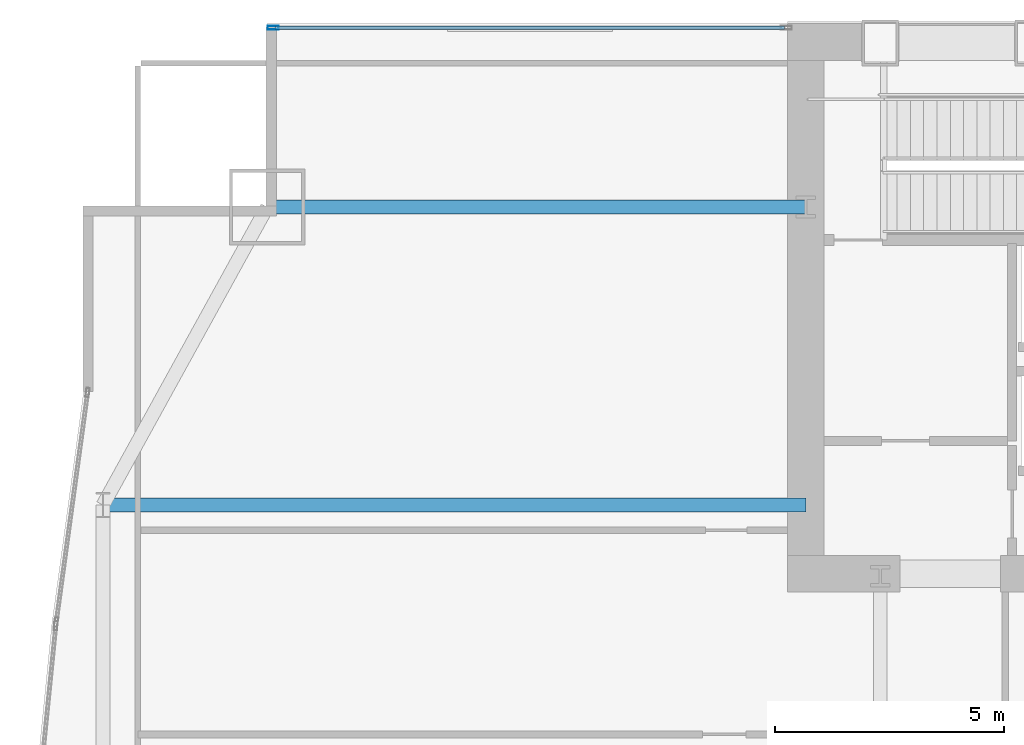
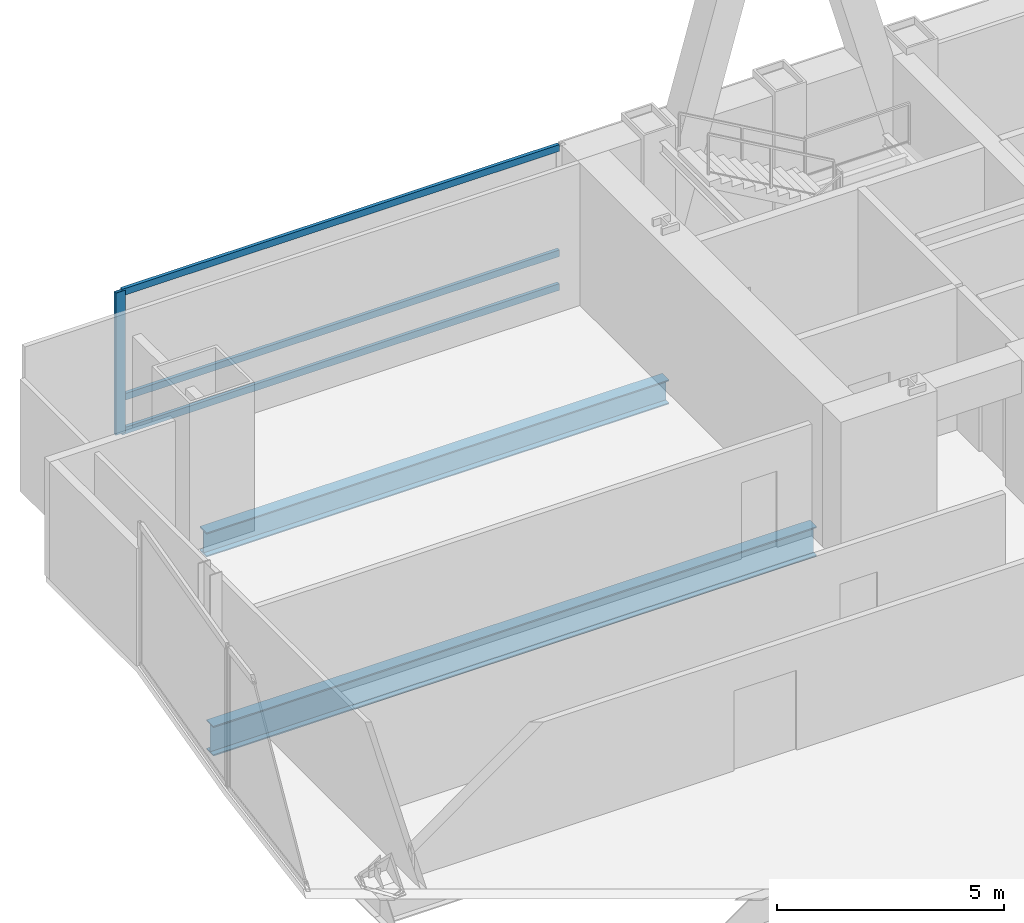
# One storey, part 17 of 35: 4 members, 2 beams, 1 element without a shape of its own.
"""IFC4 building model written with IfcOpenShell, lengths in metres."""

import ifcopenshell
import ifcopenshell.guid

model = None  # the IFC model being written
_history = None  # IfcOwnerHistory: only IFC2X3 demands one
_inside = {}  # id of a spatial element -> (the spatial element, [elements in it])
_under = {}  # id of a project, library or spatial element -> (it, [spatial elements below it])
_declared = {}  # id of a project -> (the project, [libraries it declares])
_typed = {}  # id of a type object -> (the type object, [elements of that type])
_made_of = {}  # id of a material, layer set ... -> (it, [elements and type objects made of it])


def new_model(schema):
    """Start an empty IFC model of exactly this schema.

    Asked for "IFC4X3", IfcOpenShell would pick the latest addendum, in which some entities
    have other attributes; the version numbers below select the first issue.
    IFC2X3 requires an IfcOwnerHistory on every rooted entity: one is made here for all.
    """
    global model, _history
    if schema == "IFC4X3":
        model = ifcopenshell.file(schema_version=(4, 3, 0, 0))
    else:
        model = ifcopenshell.file(schema=schema)
    _inside.clear()
    _under.clear()
    _declared.clear()
    _typed.clear()
    _made_of.clear()
    _history = None
    if model.schema == "IFC2X3":
        org = make("IfcOrganization", Name="unknown")
        user = make(
            "IfcPersonAndOrganization",
            ThePerson=make("IfcPerson", FamilyName="unknown"),
            TheOrganization=org,
        )
        app = make(
            "IfcApplication",
            ApplicationDeveloper=org,
            Version="unknown",
            ApplicationFullName="unknown",
            ApplicationIdentifier="unknown",
        )
        _history = make(
            "IfcOwnerHistory",
            OwningUser=user,
            OwningApplication=app,
            ChangeAction="ADDED",
            CreationDate=0,
        )
    return model


def make(cls, **values):
    """One entity of the class cls with the attributes given. An attribute that is None is left unset."""
    return model.create_entity(
        cls, **{name: value for name, value in values.items() if value is not None}
    )


def rooted(cls, **values):
    """An entity with a GlobalId (a new one), such as an element, a storey or a relation."""
    return make(cls, GlobalId=ifcopenshell.guid.new(), OwnerHistory=_history, **values)


def si_unit(unit_type, name, prefix=None):
    """IfcSIUnit, for example si_unit("LENGTHUNIT", "METRE", prefix="MILLI")."""
    return make("IfcSIUnit", UnitType=unit_type, Prefix=prefix, Name=name)


def assignment(units):
    """IfcUnitAssignment: the units of a project."""
    return None if units is None else make("IfcUnitAssignment", Units=units)


def point(xyz):
    """IfcCartesianPoint."""
    return None if xyz is None else make("IfcCartesianPoint", Coordinates=xyz)


def direction(xyz):
    """IfcDirection."""
    return None if xyz is None else make("IfcDirection", DirectionRatios=xyz)


def frame(location, z_axis=None, x_axis=None):
    """IfcAxis2Placement3D, a coordinate frame: its origin and axes. An axis left out is left unset."""
    return make(
        "IfcAxis2Placement3D",
        Location=point(location),
        Axis=direction(z_axis),
        RefDirection=direction(x_axis),
    )


def frame_2d(location, x_axis=None):
    """IfcAxis2Placement2D, a coordinate frame in the plane: its origin and x axis."""
    return make(
        "IfcAxis2Placement2D", Location=point(location), RefDirection=direction(x_axis)
    )


def origin():
    """The frame at (0, 0, 0) with its axes left unset."""
    return frame((0.0, 0.0, 0.0))


def origin_2d():
    """The frame at (0, 0) in the plane with its x axis left unset."""
    return frame_2d((0.0, 0.0))


def place(relative_to, where):
    """IfcLocalPlacement: puts the frame where relative to a parent placement (None: the world)."""
    return make(
        "IfcLocalPlacement", PlacementRelTo=relative_to, RelativePlacement=where
    )


def context(
    kind, dimensions, precision=None, world=None, true_north=None, identifier=None
):
    """IfcGeometricRepresentationContext, for example the 3D "Model" context."""
    return make(
        "IfcGeometricRepresentationContext",
        ContextIdentifier=identifier,
        ContextType=kind,
        CoordinateSpaceDimension=dimensions,
        Precision=precision,
        WorldCoordinateSystem=world,
        TrueNorth=true_north,
    )


def subcontext(parent, identifier, kind, view, scale=None):
    """IfcGeometricRepresentationSubContext, for example "Body" below "Model"."""
    return make(
        "IfcGeometricRepresentationSubContext",
        ContextIdentifier=identifier,
        ContextType=kind,
        ParentContext=parent,
        TargetScale=scale,
        TargetView=view,
    )


def project(units=None, contexts=None):
    """IfcProject with its units and contexts."""
    return rooted(
        "IfcProject",
        Name="project",
        RepresentationContexts=contexts,
        UnitsInContext=assignment(units),
    )


def spatial(cls, under=None, at=None, **own):
    """A site, building, storey or space (cls), placed at a placement, below another one or the project."""
    s = rooted(cls, ObjectPlacement=at, **own)
    if under is not None:
        _under.setdefault(under.id(), (under, []))[1].append(s)
    return s


def profile(cls, at=None, kind="AREA", **sizes):
    """A parametric profile (cls). Its sizes go by their IFC names, for example OverallWidth=200.0."""
    return make(cls, ProfileType=kind, Position=at, **sizes)


def hollow_rectangle(**sizes):
    """IfcRectangleHollowProfileDef."""
    return profile("IfcRectangleHollowProfileDef", **sizes)


def i_section(**sizes):
    """IfcIShapeProfileDef."""
    return profile("IfcIShapeProfileDef", **sizes)


def extrude(swept, where, along, depth):
    """IfcExtrudedAreaSolid: the profile swept, set in the frame where, extruded along a direction by depth."""
    return make(
        "IfcExtrudedAreaSolid",
        SweptArea=swept,
        Position=where,
        ExtrudedDirection=direction(along),
        Depth=depth,
    )


def shape(context_of_items, identifier, shape_type, items):
    """IfcShapeRepresentation: the items that make up one representation, for example the "Body"."""
    return make(
        "IfcShapeRepresentation",
        ContextOfItems=context_of_items,
        RepresentationIdentifier=identifier,
        RepresentationType=shape_type,
        Items=items,
    )


def material(Name=None, Category=None):
    """IfcMaterial."""
    return make("IfcMaterial", Name=Name, Category=Category)


def material_profile(
    of_material, cross_section, Name=None, Category=None, Priority=None
):
    """IfcMaterialProfile: a cross section and its material."""
    return make(
        "IfcMaterialProfile",
        Name=Name,
        Material=of_material,
        Profile=cross_section,
        Priority=Priority,
        Category=Category,
    )


def profile_set(profiles, Name=None, composite=None):
    """IfcMaterialProfileSet."""
    return make(
        "IfcMaterialProfileSet",
        Name=Name,
        MaterialProfiles=profiles,
        CompositeProfile=composite,
    )


def made_of(thing, what):
    """Note that an element or type object is made of a material, layer set ...; save() writes the relation."""
    if what is not None:
        _made_of.setdefault(what.id(), (what, []))[1].append(thing)
    return thing


def type_object(cls, material=None, **own):
    """A type object (cls), such as IfcWallType, which elements share."""
    return made_of(rooted(cls, **own), material)


def element(
    cls,
    number,
    at=None,
    inside=None,
    cuts=None,
    type_object=None,
    material=None,
    context=None,
    identifier="Body",
    shape_type=None,
    held_by="IfcProductDefinitionShape",
    body=None,
    shapes=None,
    **own,
):
    """One element of the class cls, such as IfcWall. Its Tag is "e" and its number.

    at: its placement. inside: the storey or other place that contains it. cuts: it is an
    opening in that element (IfcRelVoidsElement). A single representation is given by context,
    identifier, shape_type and body (its items); several are given by shapes. held_by: the class
    of the entity that holds the representations. save() writes the other relations.
    """
    e = rooted(cls, Tag="e%d" % number, ObjectPlacement=at, **own)
    if body is not None:
        shapes = [shape(context, identifier, shape_type, body)]
    if shapes is not None:
        e.Representation = make(held_by, Representations=shapes)
    if inside is not None:
        _inside.setdefault(inside.id(), (inside, []))[1].append(e)
    if cuts is not None:
        rooted(
            "IfcRelVoidsElement", RelatingBuildingElement=cuts, RelatedOpeningElement=e
        )
    if type_object is not None:
        _typed.setdefault(type_object.id(), (type_object, []))[1].append(e)
    return made_of(e, material)


def aggregate(whole, parts):
    """IfcRelAggregates: a whole, such as a stair, and the parts it consists of."""
    return rooted("IfcRelAggregates", RelatingObject=whole, RelatedObjects=parts)


def save(model, path):
    """Write the relations noted so far, then the file.

    IfcRelAggregates (storeys below a building ...), IfcRelContainedInSpatialStructure (elements
    in a storey), IfcRelDefinesByType, IfcRelAssociatesMaterial and IfcRelDeclares: one each for
    every whole, place, type object, material and project.
    """
    for whole, parts in _under.values():
        aggregate(whole, parts)
    for where, things in _inside.values():
        rooted(
            "IfcRelContainedInSpatialStructure",
            RelatedElements=things,
            RelatingStructure=where,
        )
    for kind, things in _typed.values():
        rooted("IfcRelDefinesByType", RelatedObjects=things, RelatingType=kind)
    for what, things in _made_of.values():
        rooted("IfcRelAssociatesMaterial", RelatedObjects=things, RelatingMaterial=what)
    for by, libraries in _declared.values():
        rooted("IfcRelDeclares", RelatingContext=by, RelatedDefinitions=libraries)
    model.write(path)


model = new_model("IFC4")

# Units and contexts
model_context = context("Model", 3, precision=1e-05, world=origin(), true_north=direction((0.0, 1.0)))
body_context = subcontext(model_context, "Body", "Model", "MODEL_VIEW")
ifc_project = project(units=[si_unit("LENGTHUNIT", "METRE"), si_unit("AREAUNIT", "SQUARE_METRE"), si_unit("VOLUMEUNIT", "CUBIC_METRE"), si_unit("PLANEANGLEUNIT", "RADIAN"), si_unit("MASSUNIT", "GRAM", prefix="KILO")], contexts=[model_context])

# Site, building, storey
site_placement = place(None, origin())
site = spatial("IfcSite", under=ifc_project, at=site_placement, CompositionType="ELEMENT")
building_placement = place(site_placement, origin())
building = spatial("IfcBuilding", under=site, at=building_placement, Name="Khoronbel Lancet Exchange", CompositionType="ELEMENT")
storey_placement = place(building_placement, frame((0.0, 0.0, 37.800048828125)))
storey = spatial("IfcBuildingStorey", under=building, at=storey_placement, Name="L08", CompositionType="ELEMENT", Elevation=37.800048828125)

# Beams
ifc_material_1 = material(Name="Steel S355", Category="steel")
ifc_material_profile_1 = material_profile(ifc_material_1, i_section(OverallWidth=0.300048828125, OverallDepth=0.800048828125, WebThickness=0.017578125, FlangeThickness=0.032958984375, at=origin_2d()), Name="HEB 800")
ifc_profile_set_1 = profile_set([ifc_material_profile_1], Name="Steel S355")
beam_type_1 = type_object("IfcBeamType", Name="BM-BG2", PredefinedType="BEAM", material=ifc_profile_set_1)
beam_1_placement = place(storey_placement, frame((1.27001953125, 43.199951171875, -0.580078125), z_axis=(1.0, 0.0, 0.0), x_axis=(0.0, 1.0, 0.0)))
element("IfcBeam", 1, at=beam_1_placement, inside=storey, type_object=beam_type_1, Name="Level L08 west lens tie girder LG3W", PredefinedType="BEAM", context=body_context, shape_type="SweptSolid", body=[
    extrude(i_section(OverallWidth=0.300048828125, OverallDepth=0.800048828125, WebThickness=0.017578125, FlangeThickness=0.032958984375, at=origin_2d()), origin(), (0.0, 0.0, 1.0), 15.330078125),
])
ifc_material_profile_2 = material_profile(ifc_material_1, i_section(OverallWidth=0.300048828125, OverallDepth=0.64990234375, WebThickness=0.01611328125, FlangeThickness=0.031005859375, at=origin_2d()), Name="HEB 650")
ifc_profile_set_2 = profile_set([ifc_material_profile_2], Name="Steel S355")
beam_type_2 = type_object("IfcBeamType", Name="BM-BSP1", PredefinedType="SPANDREL", material=ifc_profile_set_2)
beam_2_placement = place(storey_placement, frame((4.85009765625, 49.699951171875, -0.505126953125), z_axis=(1.0, 0.0, 0.0), x_axis=(0.0, 1.0, 0.0)))
element("IfcBeam", 2, at=beam_2_placement, inside=storey, type_object=beam_type_2, Name="Level L08 north flank tie spandrel SP22", PredefinedType="SPANDREL", context=body_context, shape_type="SweptSolid", body=[
    extrude(i_section(OverallWidth=0.300048828125, OverallDepth=0.64990234375, WebThickness=0.01611328125, FlangeThickness=0.031005859375, at=origin_2d()), origin(), (0.0, 0.0, 1.0), 11.75),
])

# Curtain wall, members
ifc_material_2 = material(Name="Low-E Solar Control Insulating Glass", Category="glass")
curtain_wall_type = type_object("IfcCurtainWallType", Name="CW-1", PredefinedType="NOTDEFINED", material=ifc_material_2)
curtain_wall_placement = place(storey_placement, origin())
curtain_wall = element("IfcCurtainWall", 3, at=curtain_wall_placement, inside=storey, type_object=curtain_wall_type, Name="Unitised curtain wall CW-L08-NWFLK", PredefinedType="NOTDEFINED")
ifc_material_3 = material(Name="Bronze-Anodised Aluminium 6063-T6", Category="aluminium")
ifc_material_profile_3 = material_profile(ifc_material_3, hollow_rectangle(XDim=0.0849609375, YDim=0.239990234375, WallThickness=0.006103515625, at=origin_2d()), Name="ALU MULLION 85x240")
ifc_profile_set_3 = profile_set([ifc_material_profile_3], Name="Bronze-Anodised Aluminium 6063-T6")
member_type_1 = type_object("IfcMemberType", Name="MEM-CWM1", PredefinedType="MULLION", material=ifc_profile_set_3)
member_1_placement = place(storey_placement, frame((4.982421875, 53.610107421875, 0.0), z_axis=(0.0, 0.0, 1.0), x_axis=(0.0, -1.0, 0.0)))
member_1 = element("IfcMember", 4, at=member_1_placement, type_object=member_type_1, Name="CW1 mullion 2", PredefinedType="MULLION", context=body_context, shape_type="SweptSolid", body=[
    extrude(hollow_rectangle(XDim=0.0849609375, YDim=0.239990234375, WallThickness=0.006103515625, at=origin_2d()), origin(), (0.0, 0.0, 1.0), 3.820068359375),
])
ifc_material_profile_4 = material_profile(ifc_material_3, hollow_rectangle(XDim=0.0849609375, YDim=0.179931640625, WallThickness=0.0048828125, at=origin_2d()), Name="ALU TRANSOM 85x180")
ifc_profile_set_4 = profile_set([ifc_material_profile_4], Name="Bronze-Anodised Aluminium 6063-T6")
member_type_2 = type_object("IfcMemberType", Name="MEM-CWT1", PredefinedType="USERDEFINED", material=ifc_profile_set_4)
member_2_placement = place(storey_placement, frame((16.135009765625, 53.610107421875, 0.04248046875), z_axis=(-1.0, 0.0, 0.0), x_axis=(0.0, -1.0, 0.0)))
member_2 = element("IfcMember", 5, at=member_2_placement, type_object=member_type_2, Name="CW1 transom 1.1", ObjectType="TRANSOM", PredefinedType="USERDEFINED", context=body_context, shape_type="SweptSolid", body=[
    extrude(hollow_rectangle(XDim=0.0849609375, YDim=0.179931640625, WallThickness=0.0048828125, at=origin_2d()), origin(), (0.0, 0.0, 1.0), 11.110107421875),
])
member_3_placement = place(storey_placement, frame((16.135009765625, 53.610107421875, 0.949951171875), z_axis=(-1.0, 0.0, 0.0), x_axis=(0.0, -1.0, 0.0)))
member_3 = element("IfcMember", 6, at=member_3_placement, type_object=member_type_2, Name="CW1 transom 1.2", ObjectType="TRANSOM", PredefinedType="USERDEFINED", context=body_context, shape_type="SweptSolid", body=[
    extrude(hollow_rectangle(XDim=0.0849609375, YDim=0.179931640625, WallThickness=0.0048828125, at=origin_2d()), origin(), (0.0, 0.0, 1.0), 11.110107421875),
])
member_4_placement = place(storey_placement, frame((16.135009765625, 53.610107421875, 3.77734375), z_axis=(-1.0, 0.0, 0.0), x_axis=(0.0, -1.0, 0.0)))
member_4 = element("IfcMember", 7, at=member_4_placement, type_object=member_type_2, Name="CW1 transom 1.3", ObjectType="TRANSOM", PredefinedType="USERDEFINED", context=body_context, shape_type="SweptSolid", body=[
    extrude(hollow_rectangle(XDim=0.0849609375, YDim=0.179931640625, WallThickness=0.0048828125, at=origin_2d()), origin(), (0.0, 0.0, 1.0), 11.110107421875),
])
aggregate(curtain_wall, [member_1, member_2, member_3, member_4])

save(model, "model.ifc")
